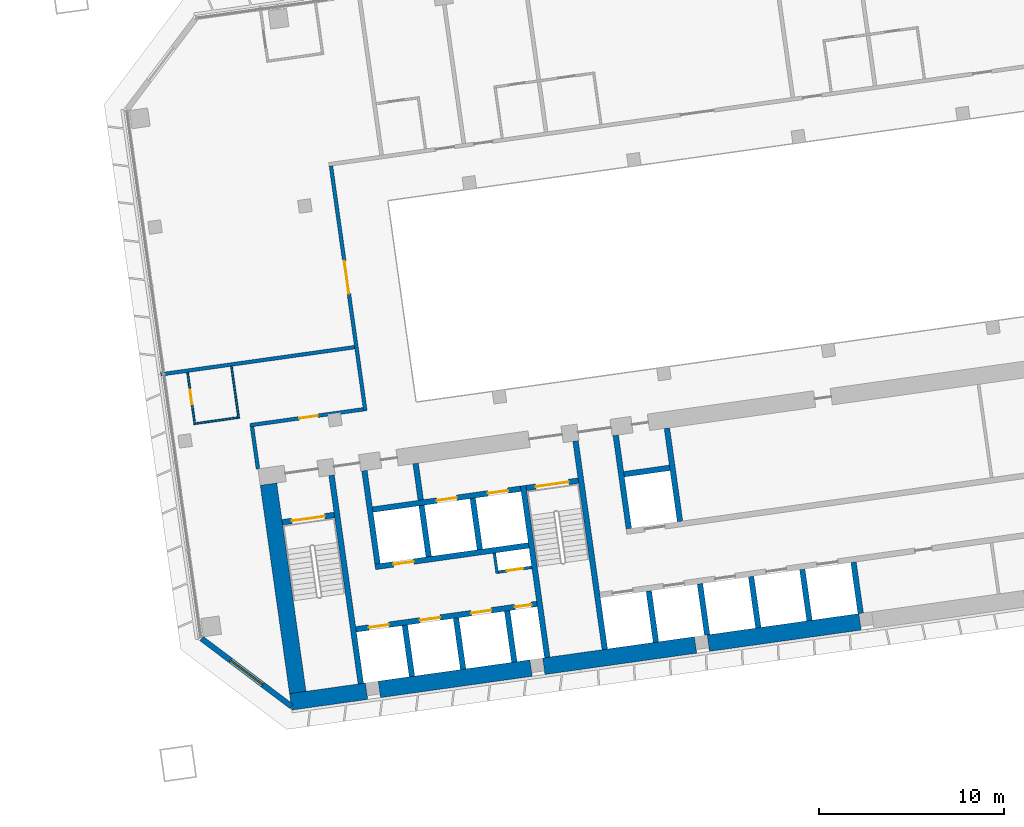
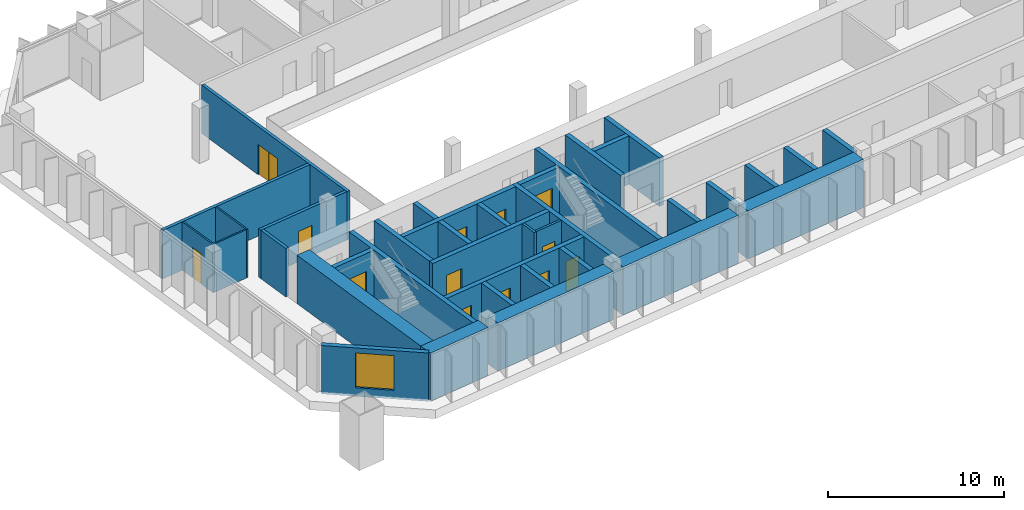
# One storey, part 18 of 24: 38 walls, 13 doors, 1 window, 14 openings.
"""IFC4 building model written with IfcOpenShell, lengths in metres."""

from ifc_helpers import new_model, si_unit, direction, frame, frame_2d, origin, place, context, subcontext, project, spatial, rectangle, extrude, material, layer, layer_set, type_object, element, fill, save


model = new_model("IFC4")

# Units and contexts
model_context = context("Model", 3, precision=1e-05, world=origin(), true_north=direction((0.0, 1.0)))
body_context = subcontext(model_context, "Body", "Model", "MODEL_VIEW")
ifc_project = project(units=[si_unit("LENGTHUNIT", "METRE"), si_unit("AREAUNIT", "SQUARE_METRE"), si_unit("VOLUMEUNIT", "CUBIC_METRE"), si_unit("PLANEANGLEUNIT", "RADIAN"), si_unit("MASSUNIT", "GRAM", prefix="KILO")], contexts=[model_context])

# Site, building, storey
site_placement = place(None, origin())
site = spatial("IfcSite", under=ifc_project, at=site_placement, CompositionType="ELEMENT")
building_placement = place(site_placement, origin())
building = spatial("IfcBuilding", under=site, at=building_placement, Name="Mirante Cascada Hotel Towers", CompositionType="ELEMENT")
storey_placement = place(building_placement, frame((0.0, 0.0, 77.5)))
storey = spatial("IfcBuildingStorey", under=building, at=storey_placement, Name="L16", CompositionType="ELEMENT", Elevation=77.5)

# Wall, opening, door
ifc_material_1 = material(Name="Fire-rated plasterboard on metal studs")
ifc_layer_1 = layer(ifc_material_1, 0.2)
ifc_layer_set_1 = layer_set([ifc_layer_1], Name="Compartment wall 200 EI 120")
wall_type_1 = type_object("IfcWallType", Name="Compartment wall 200 EI 120", PredefinedType="PARTITIONING", material=ifc_layer_set_1)
wall_1_placement = place(storey_placement, frame((34.8304, -4.7545, 0.0), z_axis=(0.0, 0.0, 1.0), x_axis=(0.9902695, 0.1391629, 0.0)))
wall_1 = element("IfcWall", 1, at=wall_1_placement, inside=storey, type_object=wall_type_1, Name="Wall 2-L16-03", PredefinedType="PARTITIONING", context=body_context, shape_type="SweptSolid", body=[
    extrude(rectangle(XDim=6.1999, YDim=0.2, at=frame_2d((3.1, 0.0))), origin(), (0.0, 0.0, 1.0), 3.35),
])
opening_1_placement = place(wall_1_placement, frame((2.7, 0.0, 0.0)))
opening_1 = element("IfcOpeningElement", 2, at=opening_1_placement, cuts=wall_1, Name="Opening D2-L16-04", PredefinedType="OPENING", context=body_context, shape_type="SweptSolid", body=[
    extrude(rectangle(XDim=1.0, YDim=2.1, at=frame_2d((0.5, 1.05))), frame((0.0, 0.1, 0.0), z_axis=(0.0, -1.0, 0.0), x_axis=(1.0, 0.0, 0.0)), (0.0, 0.0, 1.0), 0.2),
])
ifc_material_2 = material(Name="Fire-rated timber door leaf", Category="wood")
door_type_1 = type_object("IfcDoorType", Name="Entrance door DG1 1000x2100 EI 60", OperationType="SINGLE_SWING_LEFT", PredefinedType="DOOR", material=ifc_material_2)
door_1_placement = place(opening_1_placement, frame((1.0, 0.0, 0.0), z_axis=(0.0, 0.0, 1.0), x_axis=(-1.0, 0.0, 0.0)))
door_1 = element("IfcDoor", 3, at=door_1_placement, inside=storey, type_object=door_type_1, Name="Door D2-L16-04", OperationType="SINGLE_SWING_RIGHT", OverallHeight=2.1, OverallWidth=1.0, PredefinedType="DOOR", context=body_context, shape_type="SweptSolid", body=[
    extrude(rectangle(XDim=1.0, YDim=2.1, at=frame_2d((0.5, 1.05))), frame((0.0, 0.025, 0.0), z_axis=(0.0, -1.0, 0.0), x_axis=(1.0, 0.0, 0.0)), (0.0, 0.0, 1.0), 0.05),
])
fill(opening_1, door_1)

# Walls
wall_2_placement = place(storey_placement, frame((30.0, -2.0, 0.0), z_axis=(0.0, 0.0, 1.0), x_axis=(0.9902684, 0.1391704, 0.0)))
element("IfcWall", 4, at=wall_2_placement, inside=storey, type_object=wall_type_1, Name="Wall 2-L16-07", PredefinedType="PARTITIONING", context=body_context, shape_type="SweptSolid", body=[
    extrude(rectangle(XDim=10.6, YDim=0.2, at=frame_2d((5.3, 0.0))), origin(), (0.0, 0.0, 1.0), 3.35),
])
wall_3_placement = place(storey_placement, frame((34.9433, -4.8397, 0.0), z_axis=(0.0, 0.0, 1.0), x_axis=(0.1391749, -0.9902678, 0.0)))
element("IfcWall", 5, at=wall_3_placement, inside=storey, type_object=wall_type_1, Name="Wall 2-L16-22", PredefinedType="PARTITIONING", context=body_context, shape_type="SweptSolid", body=[
    extrude(rectangle(XDim=2.3, YDim=0.2, at=frame_2d((1.15, 0.0))), origin(), (0.0, 0.0, 1.0), 3.35),
])

# Wall, opening, door
wall_4_placement = place(storey_placement, frame((39.2181, 9.2928, 0.0), z_axis=(0.0, 0.0, 1.0), x_axis=(0.1391716, -0.9902683, 0.0)))
wall_4 = element("IfcWall", 6, at=wall_4_placement, inside=storey, type_object=wall_type_1, Name="Wall 2-L16-24", PredefinedType="PARTITIONING", context=body_context, shape_type="SweptSolid", body=[
    extrude(rectangle(XDim=13.4, YDim=0.2, at=frame_2d((6.7, 0.0))), origin(), (0.0, 0.0, 1.0), 3.35),
])
opening_2_placement = place(wall_4_placement, frame((5.2, 0.0, 0.0)))
opening_2 = element("IfcOpeningElement", 7, at=opening_2_placement, cuts=wall_4, Name="Opening D2-L16-24", PredefinedType="OPENING", context=body_context, shape_type="SweptSolid", body=[
    extrude(rectangle(XDim=1.8, YDim=2.1, at=frame_2d((0.9, 1.05))), frame((0.0, 0.1, 0.0), z_axis=(0.0, -1.0, 0.0), x_axis=(1.0, 0.0, 0.0)), (0.0, 0.0, 1.0), 0.2),
])
ifc_material_3 = material(Name="Fire-rated timber door leaf", Category="wood")
door_type_2 = type_object("IfcDoorType", Name="Suite double door DG2 1800x2100 EI 60", OperationType="DOUBLE_DOOR_SINGLE_SWING", PredefinedType="DOOR", material=ifc_material_3)
door_2_placement = place(opening_2_placement, origin())
door_2 = element("IfcDoor", 8, at=door_2_placement, inside=storey, type_object=door_type_2, Name="Door D2-L16-24", OperationType="DOUBLE_DOOR_SINGLE_SWING", OverallHeight=2.1, OverallWidth=1.8, PredefinedType="DOOR", context=body_context, shape_type="SweptSolid", body=[
    extrude(rectangle(XDim=0.895, YDim=2.1, at=frame_2d((0.4475, 1.05))), frame((0.0, 0.025, 0.0), z_axis=(0.0, -1.0, 0.0), x_axis=(1.0, 0.0, 0.0)), (0.0, 0.0, 1.0), 0.05),
    extrude(rectangle(XDim=0.895, YDim=2.1, at=frame_2d((1.3525, 1.05))), frame((0.0, 0.025, 0.0), z_axis=(0.0, -1.0, 0.0), x_axis=(1.0, 0.0, 0.0)), (0.0, 0.0, 1.0), 0.05),
])
fill(opening_2, door_2)

# Wall
ifc_material_4 = material(Name="Masonry block", Category="masonry")
ifc_layer_2 = layer(ifc_material_4, 0.15)
ifc_layer_set_2 = layer_set([ifc_layer_2], Name="Core room partition 150 block EI 30")
wall_type_2 = type_object("IfcWallType", Name="Core room partition 150 block EI 30", PredefinedType="PARTITIONING", material=ifc_layer_set_2)
wall_5_placement = place(storey_placement, frame((48.2295, -12.793, 0.0), z_axis=(0.0, 0.0, 1.0), x_axis=(-0.1391935, 0.9902652, 0.0)))
element("IfcWall", 9, at=wall_5_placement, inside=storey, type_object=wall_type_2, Name="Core wall partition T2 L16 2", PredefinedType="PARTITIONING", context=body_context, shape_type="SweptSolid", body=[
    extrude(rectangle(XDim=1.1251, YDim=0.15, at=frame_2d((0.5626, 0.0))), origin(), (0.0, 0.0, 1.0), 3.35),
])

# Wall, opening, door
wall_6_placement = place(storey_placement, frame((48.2933, -12.7083, 0.0), z_axis=(0.0, 0.0, 1.0), x_axis=(0.990268, 0.1391734, 0.0)))
wall_6 = element("IfcWall", 10, at=wall_6_placement, inside=storey, type_object=wall_type_2, Name="Core wall partition T2 L16 3", PredefinedType="PARTITIONING", context=body_context, shape_type="SweptSolid", body=[
    extrude(rectangle(XDim=1.8251, YDim=0.15, at=frame_2d((0.9126, 0.0))), origin(), (0.0, 0.0, 1.0), 3.35),
])
opening_3_placement = place(wall_6_placement, frame((0.4625, 0.0, 0.0)))
opening_3 = element("IfcOpeningElement", 11, at=opening_3_placement, cuts=wall_6, Name="Opening D2-16-C23", PredefinedType="OPENING", context=body_context, shape_type="SweptSolid", body=[
    extrude(rectangle(XDim=0.9, YDim=2.1, at=frame_2d((0.45, 1.05))), frame((0.0, 0.075, 0.0), z_axis=(0.0, -1.0, 0.0), x_axis=(1.0, 0.0, 0.0)), (0.0, 0.0, 1.0), 0.15),
])
ifc_material_5 = material(Name="Hollow metal fire door leaf")
door_type_3 = type_object("IfcDoorType", Name="Fire door 900x2100 FD60", OperationType="NOTDEFINED", PredefinedType="DOOR", material=ifc_material_5)
door_3_placement = place(opening_3_placement, frame((0.9, 0.0, 0.0), z_axis=(0.0, 0.0, 1.0), x_axis=(-1.0, 0.0, 0.0)))
door_3 = element("IfcDoor", 12, at=door_3_placement, inside=storey, type_object=door_type_3, Name="Riser door T2 L16 23", OperationType="SINGLE_SWING_RIGHT", OverallHeight=2.1, OverallWidth=0.9, PredefinedType="DOOR", context=body_context, shape_type="SweptSolid", body=[
    extrude(rectangle(XDim=0.9, YDim=2.1, at=frame_2d((0.45, 1.05))), frame((0.0, 0.025, 0.0), z_axis=(0.0, -1.0, 0.0), x_axis=(1.0, 0.0, 0.0)), (0.0, 0.0, 1.0), 0.05),
])
fill(opening_3, door_3)

# Walls
ifc_material_6 = material(Name="Masonry block", Category="masonry")
ifc_layer_3 = layer(ifc_material_6, 0.3)
ifc_layer_set_3 = layer_set([ifc_layer_3], Name="Core wall 300 block EI 120")
wall_type_3 = type_object("IfcWallType", Name="Core wall 300 block EI 120", PredefinedType="PARTITIONING", material=ifc_layer_set_3)
wall_7_placement = place(storey_placement, frame((44.0843, -8.8061, 0.0), z_axis=(0.0, 0.0, 1.0), x_axis=(-0.1391951, 0.990265, 0.0)))
element("IfcWall", 13, at=wall_7_placement, inside=storey, type_object=wall_type_3, Name="Core wall partition T2 L16 1", PredefinedType="PARTITIONING", context=body_context, shape_type="SweptSolid", body=[
    extrude(rectangle(XDim=2.0001, YDim=0.3, at=frame_2d((1.0001, 0.0))), origin(), (0.0, 0.0, 1.0), 3.35),
])
ifc_material_7 = material(Name="Plasterboard on metal studs")
ifc_layer_4 = layer(ifc_material_7, 0.1)
ifc_layer_set_4 = layer_set([ifc_layer_4], Name="Partition 100")
wall_type_4 = type_object("IfcWallType", Name="Partition 100", PredefinedType="PARTITIONING", material=ifc_layer_set_4)
wall_8_placement = place(storey_placement, frame((34.1666, -4.3429, 0.0), z_axis=(0.0, 0.0, 1.0), x_axis=(-0.9902678, -0.1391749, 0.0)))
element("IfcWall", 14, at=wall_8_placement, inside=storey, type_object=wall_type_4, Name="Wall 2-L16-04", PredefinedType="PARTITIONING", context=body_context, shape_type="SweptSolid", body=[
    extrude(rectangle(XDim=2.3, YDim=0.1, at=frame_2d((1.15, 0.0))), origin(), (0.0, 0.0, 1.0), 3.35),
])

# Wall, opening, door
wall_9_placement = place(storey_placement, frame((31.4498, -1.8972, 0.0), z_axis=(0.0, 0.0, 1.0), x_axis=(0.1391564, -0.9902704, 0.0)))
wall_9 = element("IfcWall", 15, at=wall_9_placement, inside=storey, type_object=wall_type_4, Name="Wall 2-L16-20", PredefinedType="PARTITIONING", context=body_context, shape_type="SweptSolid", body=[
    extrude(rectangle(XDim=2.85, YDim=0.1, at=frame_2d((1.425, 0.0))), origin(), (0.0, 0.0, 1.0), 3.35),
])
opening_4_placement = place(wall_9_placement, frame((0.95, 0.0, 0.0)))
opening_4 = element("IfcOpeningElement", 16, at=opening_4_placement, cuts=wall_9, Name="Opening D2-L16-22", PredefinedType="OPENING", context=body_context, shape_type="SweptSolid", body=[
    extrude(rectangle(XDim=0.8, YDim=2.1, at=frame_2d((0.4, 1.05))), frame((0.0, 0.05, 0.0), z_axis=(0.0, -1.0, 0.0), x_axis=(1.0, 0.0, 0.0)), (0.0, 0.0, 1.0), 0.1),
])
ifc_material_8 = material(Name="Timber door leaf", Category="wood")
door_type_4 = type_object("IfcDoorType", Name="Bathroom door DG4 800x2100", OperationType="SINGLE_SWING_LEFT", PredefinedType="DOOR", material=ifc_material_8)
door_4_placement = place(opening_4_placement, origin())
door_4 = element("IfcDoor", 17, at=door_4_placement, inside=storey, type_object=door_type_4, Name="Door D2-L16-22", OperationType="SINGLE_SWING_LEFT", OverallHeight=2.1, OverallWidth=0.8, PredefinedType="DOOR", context=body_context, shape_type="SweptSolid", body=[
    extrude(rectangle(XDim=0.8, YDim=2.1, at=frame_2d((0.4, 1.05))), frame((0.0, 0.025, 0.0), z_axis=(0.0, -1.0, 0.0), x_axis=(1.0, 0.0, 0.0)), (0.0, 0.0, 1.0), 0.05),
])
fill(opening_4, door_4)

# Wall
wall_10_placement = place(storey_placement, frame((34.2231, -4.3855, 0.0), z_axis=(0.0, 0.0, 1.0), x_axis=(-0.1391909, 0.9902656, 0.0)))
element("IfcWall", 18, at=wall_10_placement, inside=storey, type_object=wall_type_4, Name="Wall 2-L16-21", PredefinedType="PARTITIONING", context=body_context, shape_type="SweptSolid", body=[
    extrude(rectangle(XDim=2.85, YDim=0.1, at=frame_2d((1.425, 0.0))), origin(), (0.0, 0.0, 1.0), 3.35),
])

# Wall, opening, window
ifc_material_9 = material(Name="Precast concrete C40/50", Category="concrete")
ifc_layer_5 = layer(ifc_material_9, 0.3)
ifc_layer_set_5 = layer_set([ifc_layer_5], Name="Precast concrete C40/50 cladding wall 300")
wall_type_5 = type_object("IfcWallType", Name="Precast concrete C40/50 cladding wall 300", PredefinedType="STANDARD", material=ifc_layer_set_5)
wall_11_placement = place(storey_placement, frame((32.2074, -16.3138, 0.0), z_axis=(0.0, 0.0, 1.0), x_axis=(0.7986362, -0.6018141, 0.0)))
wall_11 = element("IfcWall", 19, at=wall_11_placement, inside=storey, type_object=wall_type_5, Name="Corner cladding wall T2 L16 inner rear", PredefinedType="STANDARD", context=body_context, shape_type="SweptSolid", body=[
    extrude(rectangle(XDim=6.1157, YDim=0.3, at=frame_2d((3.0578, 0.0))), origin(), (0.0, 0.0, 1.0), 3.35),
])
opening_5_placement = place(wall_11_placement, frame((1.9578, 0.0, 0.6)))
opening_5 = element("IfcOpeningElement", 20, at=opening_5_placement, cuts=wall_11, Name="Opening W2-16-05", PredefinedType="OPENING", context=body_context, shape_type="SweptSolid", body=[
    extrude(rectangle(XDim=2.2, YDim=2.4, at=frame_2d((1.1, 1.2))), frame((0.0, 0.15, 0.0), z_axis=(0.0, -1.0, 0.0), x_axis=(1.0, 0.0, 0.0)), (0.0, 0.0, 1.0), 0.3),
])
ifc_material_10 = material(Name="Aluminium frame with clear double glazing", Category="aluminium")
window_type = type_object("IfcWindowType", Name="Corner suite window 2200x2400", PartitioningType="DOUBLE_PANEL_VERTICAL", PredefinedType="WINDOW", material=ifc_material_10)
window_placement = place(opening_5_placement, origin())
window = element("IfcWindow", 21, at=window_placement, inside=storey, type_object=window_type, Name="Window W2-16-05", OverallHeight=2.4, OverallWidth=2.2, PartitioningType="SINGLE_PANEL", PredefinedType="WINDOW", context=body_context, shape_type="SweptSolid", body=[
    extrude(rectangle(XDim=2.2, YDim=2.4, at=frame_2d((1.1, 1.2))), frame((0.0, 0.03, 0.0), z_axis=(0.0, -1.0, 0.0), x_axis=(1.0, 0.0, 0.0)), (0.0, 0.0, 1.0), 0.06),
])
fill(opening_5, window)

# Walls
ifc_material_11 = material(Name="Concrete C50/60", Category="concrete")
ifc_layer_6 = layer(ifc_material_11, 0.3)
ifc_layer_set_6 = layer_set([ifc_layer_6], Name="RC core wall 300 C50/60")
wall_type_6 = type_object("IfcWallType", Name="RC core wall 300 C50/60", PredefinedType="SHEAR", material=ifc_layer_set_6)
wall_12_placement = place(storey_placement, frame((40.8373, -18.7548, 0.0), z_axis=(0.0, 0.0, 1.0), x_axis=(-0.1391749, 0.9902678, 0.0)))
element("IfcWall", 22, at=wall_12_placement, inside=storey, type_object=wall_type_6, Name="Core wall T2:L16:5", PredefinedType="SHEAR", context=body_context, shape_type="SweptSolid", body=[
    extrude(rectangle(XDim=11.4, YDim=0.3, at=frame_2d((5.7, 0.0))), origin(), (0.0, 0.0, 1.0), 3.35),
])
wall_13_placement = place(storey_placement, frame((50.938, -17.3352, 0.0), z_axis=(0.0, 0.0, 1.0), x_axis=(-0.1391706, 0.9902684, 0.0)))
element("IfcWall", 23, at=wall_13_placement, inside=storey, type_object=wall_type_6, Name="Core wall T2:L16:6", PredefinedType="SHEAR", context=body_context, shape_type="SweptSolid", body=[
    extrude(rectangle(XDim=9.4, YDim=0.3, at=frame_2d((4.7, 0.0))), origin(), (0.0, 0.0, 1.0), 3.35),
])
wall_14_placement = place(storey_placement, frame((54.0574, -16.8968, 0.0), z_axis=(0.0, 0.0, 1.0), x_axis=(-0.1391761, 0.9902677, 0.0)))
element("IfcWall", 24, at=wall_14_placement, inside=storey, type_object=wall_type_6, Name="Core wall T2:L16:7", PredefinedType="SHEAR", context=body_context, shape_type="SweptSolid", body=[
    extrude(rectangle(XDim=11.3999, YDim=0.3, at=frame_2d((5.7, 0.0))), origin(), (0.0, 0.0, 1.0), 3.35),
])

# Wall, opening, door
wall_15_placement = place(storey_placement, frame((36.5791, -10.0123, 0.0), z_axis=(0.0, 0.0, 1.0), x_axis=(0.9902704, 0.1391564, 0.0)))
wall_15 = element("IfcWall", 25, at=wall_15_placement, inside=storey, type_object=wall_type_6, Name="Core wall T2:L16:9", PredefinedType="SHEAR", context=body_context, shape_type="SweptSolid", body=[
    extrude(rectangle(XDim=2.85, YDim=0.3, at=frame_2d((1.425, 0.0))), origin(), (0.0, 0.0, 1.0), 3.35),
])
opening_6_placement = place(wall_15_placement, frame((0.525, 0.0, 0.0)))
opening_6 = element("IfcOpeningElement", 26, at=opening_6_placement, cuts=wall_15, Name="Opening D2-16-C13", PredefinedType="OPENING", context=body_context, shape_type="SweptSolid", body=[
    extrude(rectangle(XDim=1.8, YDim=2.1, at=frame_2d((0.9, 1.05))), frame((0.0, 0.15, 0.0), z_axis=(0.0, -1.0, 0.0), x_axis=(1.0, 0.0, 0.0)), (0.0, 0.0, 1.0), 0.3),
])
ifc_material_12 = material(Name="Hollow metal fire door leaf")
door_type_5 = type_object("IfcDoorType", Name="Double fire door 1800x2100 FD60", OperationType="DOUBLE_DOOR_SINGLE_SWING", PredefinedType="DOOR", material=ifc_material_12)
door_5_placement = place(opening_6_placement, frame((1.8, 0.0, 0.0), z_axis=(0.0, 0.0, 1.0), x_axis=(-1.0, 0.0, 0.0)))
door_5 = element("IfcDoor", 27, at=door_5_placement, inside=storey, type_object=door_type_5, Name="Stair door T2 L16 13", OperationType="DOUBLE_DOOR_SINGLE_SWING", OverallHeight=2.1, OverallWidth=1.8, PredefinedType="DOOR", context=body_context, shape_type="SweptSolid", body=[
    extrude(rectangle(XDim=0.895, YDim=2.1, at=frame_2d((0.4475, 1.05))), frame((0.0, 0.025, 0.0), z_axis=(0.0, -1.0, 0.0), x_axis=(1.0, 0.0, 0.0)), (0.0, 0.0, 1.0), 0.05),
    extrude(rectangle(XDim=0.895, YDim=2.1, at=frame_2d((1.3525, 1.05))), frame((0.0, 0.025, 0.0), z_axis=(0.0, -1.0, 0.0), x_axis=(1.0, 0.0, 0.0)), (0.0, 0.0, 1.0), 0.05),
])
fill(opening_6, door_5)

wall_16_placement = place(storey_placement, frame((49.7992, -8.1544, 0.0), z_axis=(0.0, 0.0, 1.0), x_axis=(0.9902656, 0.1391909, 0.0)))
wall_16 = element("IfcWall", 28, at=wall_16_placement, inside=storey, type_object=wall_type_6, Name="Core wall T2:L16:10", PredefinedType="SHEAR", context=body_context, shape_type="SweptSolid", body=[
    extrude(rectangle(XDim=2.85, YDim=0.3, at=frame_2d((1.425, 0.0))), origin(), (0.0, 0.0, 1.0), 3.35),
])
opening_7_placement = place(wall_16_placement, frame((0.525, 0.0, 0.0)))
opening_7 = element("IfcOpeningElement", 29, at=opening_7_placement, cuts=wall_16, Name="Opening D2-16-C15", PredefinedType="OPENING", context=body_context, shape_type="SweptSolid", body=[
    extrude(rectangle(XDim=1.8, YDim=2.1, at=frame_2d((0.9, 1.05))), frame((0.0, 0.15, 0.0), z_axis=(0.0, -1.0, 0.0), x_axis=(1.0, 0.0, 0.0)), (0.0, 0.0, 1.0), 0.3),
])
door_6_placement = place(opening_7_placement, frame((1.8, 0.0, 0.0), z_axis=(0.0, 0.0, 1.0), x_axis=(-1.0, 0.0, 0.0)))
door_6 = element("IfcDoor", 30, at=door_6_placement, inside=storey, type_object=door_type_5, Name="Stair door T2 L16 15", OperationType="DOUBLE_DOOR_SINGLE_SWING", OverallHeight=2.1, OverallWidth=1.8, PredefinedType="DOOR", context=body_context, shape_type="SweptSolid", body=[
    extrude(rectangle(XDim=0.895, YDim=2.1, at=frame_2d((0.4475, 1.05))), frame((0.0, 0.025, 0.0), z_axis=(0.0, -1.0, 0.0), x_axis=(1.0, 0.0, 0.0)), (0.0, 0.0, 1.0), 0.05),
    extrude(rectangle(XDim=0.895, YDim=2.1, at=frame_2d((1.3525, 1.05))), frame((0.0, 0.025, 0.0), z_axis=(0.0, -1.0, 0.0), x_axis=(1.0, 0.0, 0.0)), (0.0, 0.0, 1.0), 0.05),
])
fill(opening_7, door_6)

# Wall, openings, doors
wall_17_placement = place(storey_placement, frame((40.5753, -15.8126, 0.0), z_axis=(0.0, 0.0, 1.0), x_axis=(0.9902682, 0.1391725, 0.0)))
wall_17 = element("IfcWall", 31, at=wall_17_placement, inside=storey, type_object=wall_type_6, Name="Core wall T2:L16:12", PredefinedType="SHEAR", context=body_context, shape_type="SweptSolid", body=[
    extrude(rectangle(XDim=9.8999, YDim=0.3, at=frame_2d((4.95, 0.0))), origin(), (0.0, 0.0, 1.0), 3.35),
])
opening_8_placement = place(wall_17_placement, frame((0.7, 0.0, 0.0)))
opening_8 = element("IfcOpeningElement", 32, at=opening_8_placement, cuts=wall_17, Name="Opening LD", PredefinedType="OPENING", context=body_context, shape_type="SweptSolid", body=[
    extrude(rectangle(XDim=1.1, YDim=2.1, at=frame_2d((0.55, 1.05))), frame((0.0, 0.15, 0.0), z_axis=(0.0, -1.0, 0.0), x_axis=(1.0, 0.0, 0.0)), (0.0, 0.0, 1.0), 0.3),
])
opening_9_placement = place(wall_17_placement, frame((3.5, 0.0, 0.0)))
opening_9 = element("IfcOpeningElement", 33, at=opening_9_placement, cuts=wall_17, Name="Opening LD", PredefinedType="OPENING", context=body_context, shape_type="SweptSolid", body=[
    extrude(rectangle(XDim=1.1, YDim=2.1, at=frame_2d((0.55, 1.05))), frame((0.0, 0.15, 0.0), z_axis=(0.0, -1.0, 0.0), x_axis=(1.0, 0.0, 0.0)), (0.0, 0.0, 1.0), 0.3),
])
opening_10_placement = place(wall_17_placement, frame((6.3, 0.0, 0.0)))
opening_10 = element("IfcOpeningElement", 34, at=opening_10_placement, cuts=wall_17, Name="Opening LD", PredefinedType="OPENING", context=body_context, shape_type="SweptSolid", body=[
    extrude(rectangle(XDim=1.1, YDim=2.1, at=frame_2d((0.55, 1.05))), frame((0.0, 0.15, 0.0), z_axis=(0.0, -1.0, 0.0), x_axis=(1.0, 0.0, 0.0)), (0.0, 0.0, 1.0), 0.3),
])
opening_11_placement = place(wall_17_placement, frame((8.7, 0.0, 0.0)))
opening_11 = element("IfcOpeningElement", 35, at=opening_11_placement, cuts=wall_17, Name="Opening D2-16-C22", PredefinedType="OPENING", context=body_context, shape_type="SweptSolid", body=[
    extrude(rectangle(XDim=0.9, YDim=2.1, at=frame_2d((0.45, 1.05))), frame((0.0, 0.15, 0.0), z_axis=(0.0, -1.0, 0.0), x_axis=(1.0, 0.0, 0.0)), (0.0, 0.0, 1.0), 0.3),
])
door_7_placement = place(opening_11_placement, frame((0.9, 0.0, 0.0), z_axis=(0.0, 0.0, 1.0), x_axis=(-1.0, 0.0, 0.0)))
door_7 = element("IfcDoor", 36, at=door_7_placement, inside=storey, type_object=door_type_3, Name="Riser door T2 L16 22", OperationType="SINGLE_SWING_RIGHT", OverallHeight=2.1, OverallWidth=0.9, PredefinedType="DOOR", context=body_context, shape_type="SweptSolid", body=[
    extrude(rectangle(XDim=0.9, YDim=2.1, at=frame_2d((0.45, 1.05))), frame((0.0, 0.025, 0.0), z_axis=(0.0, -1.0, 0.0), x_axis=(1.0, 0.0, 0.0)), (0.0, 0.0, 1.0), 0.05),
])
fill(opening_11, door_7)
ifc_material_13 = material(Name="Stainless steel", Category="steel")
door_type_6 = type_object("IfcDoorType", Name="Lift landing door 1100x2100 EI 120", OperationType="DOUBLE_DOOR_SLIDING", PredefinedType="DOOR", material=ifc_material_13)
door_8_placement = place(opening_8_placement, origin())
door_8 = element("IfcDoor", 37, at=door_8_placement, inside=storey, type_object=door_type_6, Name="Lift landing door HR2-1 L16", OperationType="DOUBLE_DOOR_SLIDING", OverallHeight=2.1, OverallWidth=1.1, PredefinedType="DOOR", context=body_context, shape_type="SweptSolid", body=[
    extrude(rectangle(XDim=0.545, YDim=2.1, at=frame_2d((0.2725, 1.05))), frame((0.0, 0.025, 0.0), z_axis=(0.0, -1.0, 0.0), x_axis=(1.0, 0.0, 0.0)), (0.0, 0.0, 1.0), 0.05),
    extrude(rectangle(XDim=0.545, YDim=2.1, at=frame_2d((0.8275, 1.05))), frame((0.0, 0.025, 0.0), z_axis=(0.0, -1.0, 0.0), x_axis=(1.0, 0.0, 0.0)), (0.0, 0.0, 1.0), 0.05),
])
fill(opening_8, door_8)
door_9_placement = place(opening_9_placement, origin())
door_9 = element("IfcDoor", 38, at=door_9_placement, inside=storey, type_object=door_type_6, Name="Lift landing door HR2-2 L16", OperationType="DOUBLE_DOOR_SLIDING", OverallHeight=2.1, OverallWidth=1.1, PredefinedType="DOOR", context=body_context, shape_type="SweptSolid", body=[
    extrude(rectangle(XDim=0.545, YDim=2.1, at=frame_2d((0.2725, 1.05))), frame((0.0, 0.025, 0.0), z_axis=(0.0, -1.0, 0.0), x_axis=(1.0, 0.0, 0.0)), (0.0, 0.0, 1.0), 0.05),
    extrude(rectangle(XDim=0.545, YDim=2.1, at=frame_2d((0.8275, 1.05))), frame((0.0, 0.025, 0.0), z_axis=(0.0, -1.0, 0.0), x_axis=(1.0, 0.0, 0.0)), (0.0, 0.0, 1.0), 0.05),
])
fill(opening_9, door_9)
door_10_placement = place(opening_10_placement, origin())
door_10 = element("IfcDoor", 39, at=door_10_placement, inside=storey, type_object=door_type_6, Name="Lift landing door HR2-3 L16", OperationType="DOUBLE_DOOR_SLIDING", OverallHeight=2.1, OverallWidth=1.1, PredefinedType="DOOR", context=body_context, shape_type="SweptSolid", body=[
    extrude(rectangle(XDim=0.545, YDim=2.1, at=frame_2d((0.2725, 1.05))), frame((0.0, 0.025, 0.0), z_axis=(0.0, -1.0, 0.0), x_axis=(1.0, 0.0, 0.0)), (0.0, 0.0, 1.0), 0.05),
    extrude(rectangle(XDim=0.545, YDim=2.1, at=frame_2d((0.8275, 1.05))), frame((0.0, 0.025, 0.0), z_axis=(0.0, -1.0, 0.0), x_axis=(1.0, 0.0, 0.0)), (0.0, 0.0, 1.0), 0.05),
])
fill(opening_10, door_10)

# Wall, opening, door
wall_18_placement = place(storey_placement, frame((41.6153, -12.435, 0.0), z_axis=(0.0, 0.0, 1.0), x_axis=(0.9902691, 0.139166, 0.0)))
wall_18 = element("IfcWall", 40, at=wall_18_placement, inside=storey, type_object=wall_type_6, Name="Core wall T2:L16:13", PredefinedType="SHEAR", context=body_context, shape_type="SweptSolid", body=[
    extrude(rectangle(XDim=8.4, YDim=0.3, at=frame_2d((4.2, 0.0))), origin(), (0.0, 0.0, 1.0), 3.35),
])
opening_12_placement = place(wall_18_placement, frame((1.0, 0.0, 0.0)))
opening_12 = element("IfcOpeningElement", 41, at=opening_12_placement, cuts=wall_18, Name="Opening LD", PredefinedType="OPENING", context=body_context, shape_type="SweptSolid", body=[
    extrude(rectangle(XDim=1.1, YDim=2.1, at=frame_2d((0.55, 1.05))), frame((0.0, 0.15, 0.0), z_axis=(0.0, -1.0, 0.0), x_axis=(1.0, 0.0, 0.0)), (0.0, 0.0, 1.0), 0.3),
])
door_11_placement = place(opening_12_placement, origin())
door_11 = element("IfcDoor", 42, at=door_11_placement, inside=storey, type_object=door_type_6, Name="Lift landing door HR2-4 L16", OperationType="DOUBLE_DOOR_SLIDING", OverallHeight=2.1, OverallWidth=1.1, PredefinedType="DOOR", context=body_context, shape_type="SweptSolid", body=[
    extrude(rectangle(XDim=0.545, YDim=2.1, at=frame_2d((0.2725, 1.05))), frame((0.0, 0.025, 0.0), z_axis=(0.0, -1.0, 0.0), x_axis=(1.0, 0.0, 0.0)), (0.0, 0.0, 1.0), 0.05),
    extrude(rectangle(XDim=0.545, YDim=2.1, at=frame_2d((0.8275, 1.05))), frame((0.0, 0.025, 0.0), z_axis=(0.0, -1.0, 0.0), x_axis=(1.0, 0.0, 0.0)), (0.0, 0.0, 1.0), 0.05),
])
fill(opening_12, door_11)

# Wall, openings, doors
wall_19_placement = place(storey_placement, frame((41.481, -9.3234, 0.0), z_axis=(0.0, 0.0, 1.0), x_axis=(0.9902679, 0.1391741, 0.0)))
wall_19 = element("IfcWall", 43, at=wall_19_placement, inside=storey, type_object=wall_type_6, Name="Core wall T2:L16:14", PredefinedType="SHEAR", context=body_context, shape_type="SweptSolid", body=[
    extrude(rectangle(XDim=8.0999, YDim=0.3, at=frame_2d((4.05, 0.0))), origin(), (0.0, 0.0, 1.0), 3.35),
])
opening_13_placement = place(wall_19_placement, frame((3.5, 0.0, 0.0)))
opening_13 = element("IfcOpeningElement", 44, at=opening_13_placement, cuts=wall_19, Name="Opening LD", PredefinedType="OPENING", context=body_context, shape_type="SweptSolid", body=[
    extrude(rectangle(XDim=1.1, YDim=2.1, at=frame_2d((0.55, 1.05))), frame((0.0, 0.15, 0.0), z_axis=(0.0, -1.0, 0.0), x_axis=(1.0, 0.0, 0.0)), (0.0, 0.0, 1.0), 0.3),
])
opening_14_placement = place(wall_19_placement, frame((6.3, 0.0, 0.0)))
opening_14 = element("IfcOpeningElement", 45, at=opening_14_placement, cuts=wall_19, Name="Opening LD", PredefinedType="OPENING", context=body_context, shape_type="SweptSolid", body=[
    extrude(rectangle(XDim=1.1, YDim=2.1, at=frame_2d((0.55, 1.05))), frame((0.0, 0.15, 0.0), z_axis=(0.0, -1.0, 0.0), x_axis=(1.0, 0.0, 0.0)), (0.0, 0.0, 1.0), 0.3),
])
door_12_placement = place(opening_13_placement, origin())
door_12 = element("IfcDoor", 46, at=door_12_placement, inside=storey, type_object=door_type_6, Name="Lift landing door FF3 L16", OperationType="DOUBLE_DOOR_SLIDING", OverallHeight=2.1, OverallWidth=1.1, PredefinedType="DOOR", context=body_context, shape_type="SweptSolid", body=[
    extrude(rectangle(XDim=0.545, YDim=2.1, at=frame_2d((0.2725, 1.05))), frame((0.0, 0.025, 0.0), z_axis=(0.0, -1.0, 0.0), x_axis=(1.0, 0.0, 0.0)), (0.0, 0.0, 1.0), 0.05),
    extrude(rectangle(XDim=0.545, YDim=2.1, at=frame_2d((0.8275, 1.05))), frame((0.0, 0.025, 0.0), z_axis=(0.0, -1.0, 0.0), x_axis=(1.0, 0.0, 0.0)), (0.0, 0.0, 1.0), 0.05),
])
fill(opening_13, door_12)
door_13_placement = place(opening_14_placement, origin())
door_13 = element("IfcDoor", 47, at=door_13_placement, inside=storey, type_object=door_type_6, Name="Lift landing door FF4 L16", OperationType="DOUBLE_DOOR_SLIDING", OverallHeight=2.1, OverallWidth=1.1, PredefinedType="DOOR", context=body_context, shape_type="SweptSolid", body=[
    extrude(rectangle(XDim=0.545, YDim=2.1, at=frame_2d((0.2725, 1.05))), frame((0.0, 0.025, 0.0), z_axis=(0.0, -1.0, 0.0), x_axis=(1.0, 0.0, 0.0)), (0.0, 0.0, 1.0), 0.05),
    extrude(rectangle(XDim=0.545, YDim=2.1, at=frame_2d((0.8275, 1.05))), frame((0.0, 0.025, 0.0), z_axis=(0.0, -1.0, 0.0), x_axis=(1.0, 0.0, 0.0)), (0.0, 0.0, 1.0), 0.05),
])
fill(opening_14, door_13)

# Walls
wall_20_placement = place(storey_placement, frame((43.61, -18.3651, 0.0), z_axis=(0.0, 0.0, 1.0), x_axis=(-0.1391459, 0.9902719, 0.0)))
element("IfcWall", 48, at=wall_20_placement, inside=storey, type_object=wall_type_6, Name="Core wall T2:L16:15", PredefinedType="SHEAR", context=body_context, shape_type="SweptSolid", body=[
    extrude(rectangle(XDim=2.7999, YDim=0.3, at=frame_2d((1.4, 0.0))), origin(), (0.0, 0.0, 1.0), 3.35),
])
wall_21_placement = place(storey_placement, frame((46.3828, -17.9754, 0.0), z_axis=(0.0, 0.0, 1.0), x_axis=(-0.139181, 0.990267, 0.0)))
element("IfcWall", 49, at=wall_21_placement, inside=storey, type_object=wall_type_6, Name="Core wall T2:L16:16", PredefinedType="SHEAR", context=body_context, shape_type="SweptSolid", body=[
    extrude(rectangle(XDim=2.8, YDim=0.3, at=frame_2d((1.4, 0.0))), origin(), (0.0, 0.0, 1.0), 3.35),
])
wall_22_placement = place(storey_placement, frame((49.1555, -17.5857, 0.0), z_axis=(0.0, 0.0, 1.0), x_axis=(-0.1391459, 0.9902719, 0.0)))
element("IfcWall", 50, at=wall_22_placement, inside=storey, type_object=wall_type_6, Name="Core wall T2:L16:17", PredefinedType="SHEAR", context=body_context, shape_type="SweptSolid", body=[
    extrude(rectangle(XDim=2.7999, YDim=0.3, at=frame_2d((1.4, 0.0))), origin(), (0.0, 0.0, 1.0), 3.35),
])
for number, where, z_axis, x_axis, name in (
    (51, (44.5157, -11.8759, 0.0), (0.0, 0.0, 1.0), (-0.139181, 0.990267, 0.0), "Core wall T2:L16:18"),
    (52, (47.2885, -11.4862, 0.0), (0.0, 0.0, 1.0), (-0.139181, 0.990267, 0.0), "Core wall T2:L16:19"),
):
    element("IfcWall", number, at=place(storey_placement, frame(where, z_axis=z_axis, x_axis=x_axis)), inside=storey, type_object=wall_type_6, Name=name, PredefinedType="SHEAR", context=body_context, shape_type="SweptSolid", body=[
        extrude(rectangle(XDim=2.8, YDim=0.3, at=frame_2d((1.4, 0.0))), origin(), (0.0, 0.0, 1.0), 3.35),
    ])
wall_23_placement = place(storey_placement, frame((41.743, -12.2656, 0.0), z_axis=(0.0, 0.0, 1.0), x_axis=(-0.1391755, 0.9902677, 0.0)))
element("IfcWall", 53, at=wall_23_placement, inside=storey, type_object=wall_type_6, Name="Core wall T2:L16:20", PredefinedType="SHEAR", context=body_context, shape_type="SweptSolid", body=[
    extrude(rectangle(XDim=5.1, YDim=0.3, at=frame_2d((2.55, 0.0))), origin(), (0.0, 0.0, 1.0), 3.35),
])
for number, where, z_axis, x_axis, name in (
    (54, (56.8301, -16.5072, 0.0), (0.0, 0.0, 1.0), (-0.139176, 0.9902677, 0.0), "Core wall T2:L16:25"),
    (55, (59.6029, -16.1175, 0.0), (0.0, 0.0, 1.0), (-0.139176, 0.9902677, 0.0), "Core wall T2:L16:26"),
    (56, (62.3756, -15.7278, 0.0), (0.0, 0.0, 1.0), (-0.139176, 0.9902677, 0.0), "Core wall T2:L16:27"),
    (57, (65.1484, -15.3381, 0.0), (0.0, 0.0, 1.0), (-0.139176, 0.9902677, 0.0), "Core wall T2:L16:28"),
):
    element("IfcWall", number, at=place(storey_placement, frame(where, z_axis=z_axis, x_axis=x_axis)), inside=storey, type_object=wall_type_6, Name=name, PredefinedType="SHEAR", context=body_context, shape_type="SweptSolid", body=[
        extrude(rectangle(XDim=2.8001, YDim=0.3, at=frame_2d((1.4, 0.0))), origin(), (0.0, 0.0, 1.0), 3.35),
    ])
wall_24_placement = place(storey_placement, frame((67.9211, -14.9484, 0.0), z_axis=(0.0, 0.0, 1.0), x_axis=(-0.139181, 0.990267, 0.0)))
element("IfcWall", 58, at=wall_24_placement, inside=storey, type_object=wall_type_6, Name="Core wall T2:L16:29", PredefinedType="SHEAR", context=body_context, shape_type="SweptSolid", body=[
    extrude(rectangle(XDim=2.8, YDim=0.3, at=frame_2d((1.4, 0.0))), origin(), (0.0, 0.0, 1.0), 3.35),
])
for number, where, z_axis, x_axis, name in (
    (59, (55.3592, -10.352, 0.0), (0.0, 0.0, 1.0), (-0.1391755, 0.9902677, 0.0), "Core wall T2:L16:32"),
    (60, (58.1319, -9.9623, 0.0), (0.0, 0.0, 1.0), (-0.1391755, 0.9902677, 0.0), "Core wall T2:L16:34"),
):
    element("IfcWall", number, at=place(storey_placement, frame(where, z_axis=z_axis, x_axis=x_axis)), inside=storey, type_object=wall_type_6, Name=name, PredefinedType="SHEAR", context=body_context, shape_type="SweptSolid", body=[
        extrude(rectangle(XDim=5.1, YDim=0.3, at=frame_2d((2.55, 0.0))), origin(), (0.0, 0.0, 1.0), 3.35),
    ])
wall_25_placement = place(storey_placement, frame((55.0971, -7.4098, 0.0), z_axis=(0.0, 0.0, 1.0), x_axis=(0.9902701, 0.1391586, 0.0)))
element("IfcWall", 61, at=wall_25_placement, inside=storey, type_object=wall_type_6, Name="Core wall T2:L16:35", PredefinedType="SHEAR", context=body_context, shape_type="SweptSolid", body=[
    extrude(rectangle(XDim=2.5, YDim=0.3, at=frame_2d((1.25, 0.0))), origin(), (0.0, 0.0, 1.0), 3.35),
])
ifc_material_14 = material(Name="Concrete C50/60", Category="concrete")
ifc_layer_7 = layer(ifc_material_14, 0.9)
ifc_layer_set_7 = layer_set([ifc_layer_7], Name="RC core wall 900 C50/60")
wall_type_7 = type_object("IfcWallType", Name="RC core wall 900 C50/60", PredefinedType="SHEAR", material=ifc_layer_set_7)
wall_26_placement = place(storey_placement, frame((37.0379, -19.7432, 0.0), z_axis=(0.0, 0.0, 1.0), x_axis=(0.990267, 0.139181, 0.0)))
element("IfcWall", 62, at=wall_26_placement, inside=storey, type_object=wall_type_7, Name="Core wall T2:L16:1.1", PredefinedType="SHEAR", context=body_context, shape_type="SweptSolid", body=[
    extrude(rectangle(XDim=4.15, YDim=0.9, at=frame_2d((2.075, 0.0))), origin(), (0.0, 0.0, 1.0), 3.35),
])
for number, where, z_axis, x_axis, name in (
    (63, (41.8407, -19.0682, 0.0), (0.0, 0.0, 1.0), (0.9902686, 0.1391692, 0.0), "Core wall T2:L16:1.2"),
    (64, (50.7531, -17.8156, 0.0), (0.0, 0.0, 1.0), (0.9902686, 0.1391692, 0.0), "Core wall T2:L16:1.3"),
    (65, (59.6655, -16.5631, 0.0), (0.0, 0.0, 1.0), (0.9902686, 0.1391692, 0.0), "Core wall T2:L16:1.4"),
):
    element("IfcWall", number, at=place(storey_placement, frame(where, z_axis=z_axis, x_axis=x_axis)), inside=storey, type_object=wall_type_7, Name=name, PredefinedType="SHEAR", context=body_context, shape_type="SweptSolid", body=[
        extrude(rectangle(XDim=8.3, YDim=0.9, at=frame_2d((4.15, 0.0))), origin(), (0.0, 0.0, 1.0), 3.35),
    ])
wall_27_placement = place(storey_placement, frame((37.4209, -19.2349, 0.0), z_axis=(0.0, 0.0, 1.0), x_axis=(-0.1391761, 0.9902677, 0.0)))
element("IfcWall", 66, at=wall_27_placement, inside=storey, type_object=wall_type_7, Name="Core wall T2:L16:3", PredefinedType="SHEAR", context=body_context, shape_type="SweptSolid", body=[
    extrude(rectangle(XDim=11.3999, YDim=0.9, at=frame_2d((5.7, 0.0))), origin(), (0.0, 0.0, 1.0), 3.35),
])

save(model, "model.ifc")
